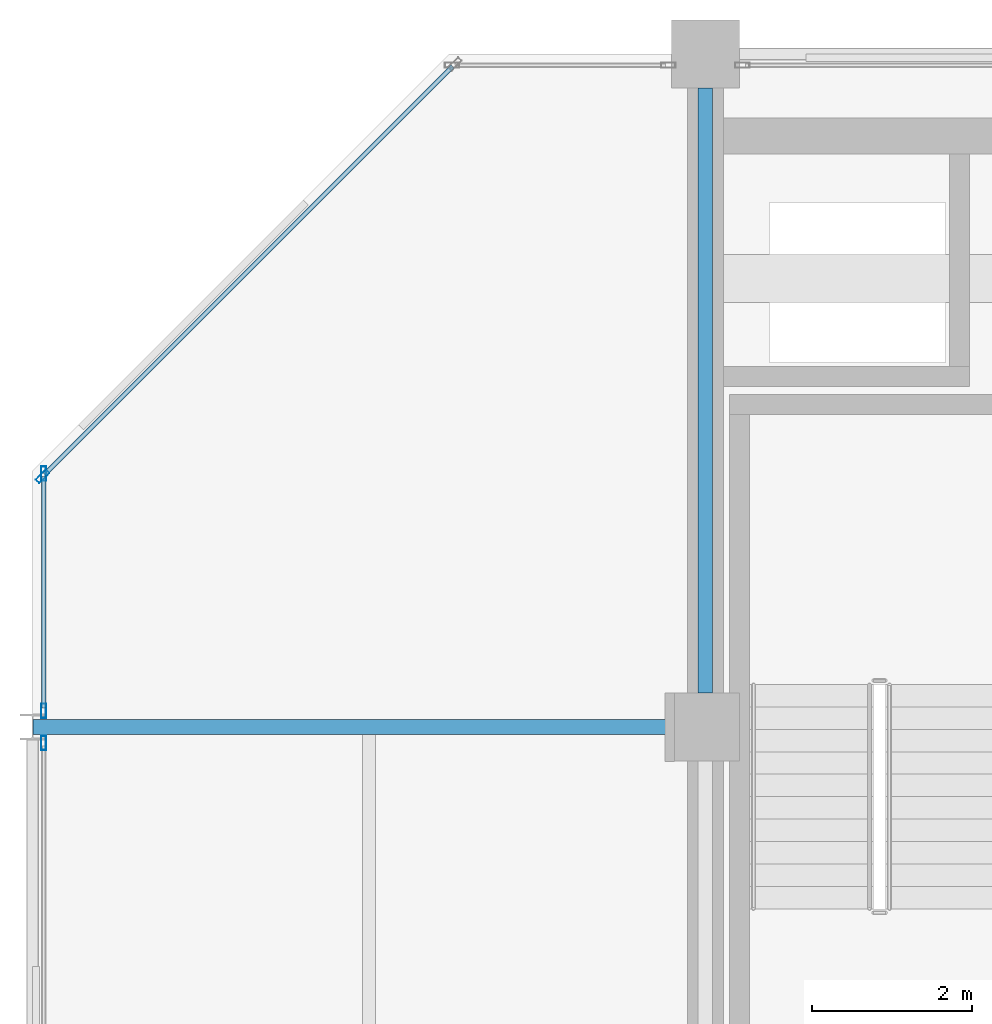
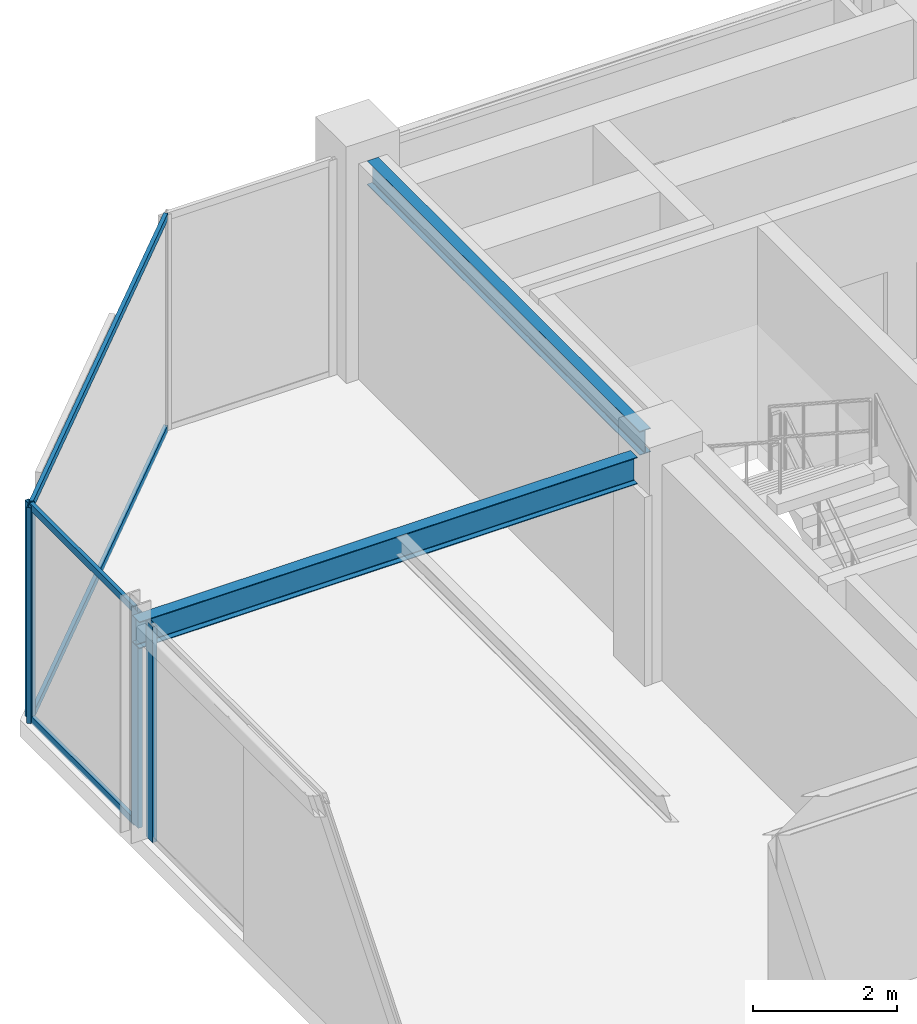
# One storey, part 17 of 26: 8 members, 2 beams, 3 elements without a shape of their own.
"""IFC4 building model written with IfcOpenShell, lengths in metres."""

from ifc_helpers import new_model, si_unit, direction, frame, origin, origin_2d, place, context, subcontext, project, spatial, hollow_rectangle, i_section, extrude, material, layer, layer_set, material_profile, profile_set, type_object, element, aggregate, save


model = new_model("IFC4")

# Units and contexts
model_context = context("Model", 3, precision=1e-05, world=origin(), true_north=direction((0.0, 1.0)))
body_context = subcontext(model_context, "Body", "Model", "MODEL_VIEW")
ifc_project = project(units=[si_unit("LENGTHUNIT", "METRE"), si_unit("AREAUNIT", "SQUARE_METRE"), si_unit("VOLUMEUNIT", "CUBIC_METRE"), si_unit("PLANEANGLEUNIT", "RADIAN"), si_unit("MASSUNIT", "GRAM", prefix="KILO")], contexts=[model_context])

# Site, building, storey
site_placement = place(None, origin())
site = spatial("IfcSite", under=ifc_project, at=site_placement, CompositionType="ELEMENT")
building_placement = place(site_placement, origin())
building = spatial("IfcBuilding", under=site, at=building_placement, Name="Nerrivon Quay Data Exchange", CompositionType="ELEMENT")
storey_placement = place(building_placement, frame((0.0, 0.0, 282.199951171875)))
storey = spatial("IfcBuildingStorey", under=building, at=storey_placement, Name="L67", CompositionType="ELEMENT", Elevation=282.199951171875)

# Beams
ifc_material_1 = material(Name="Steel Grade 350", Category="steel")
ifc_material_profile_1 = material_profile(ifc_material_1, i_section(OverallWidth=0.18994140625, OverallDepth=0.4541015625, WebThickness=0.008544921875, FlangeThickness=0.0126953125, FilletRadius=0.011474609375, at=origin_2d()), Name="460UB67.1")
ifc_profile_set_1 = profile_set([ifc_material_profile_1], Name="Steel Grade 350")
beam_type_1 = type_object("IfcBeamType", Name="BM-G6-460UB67", PredefinedType="BEAM", material=ifc_profile_set_1)
beam_1_placement = place(storey_placement, frame((0.0078125, 33.60009765625, 3.423095703125), z_axis=(1.0, 0.0, 0.0), x_axis=(0.0, 1.0, 0.0)))
element("IfcBeam", 1, at=beam_1_placement, inside=storey, type_object=beam_type_1, Name="L67 EW Girder Y=33.6 (0.0..8.4)", PredefinedType="BEAM", context=body_context, shape_type="SweptSolid", body=[
    extrude(i_section(OverallWidth=0.18994140625, OverallDepth=0.4541015625, WebThickness=0.008544921875, FlangeThickness=0.0126953125, FilletRadius=0.011474609375, at=origin_2d()), origin(), (0.0, 0.0, 1.0), 7.96728515625),
])
ifc_material_profile_2 = material_profile(ifc_material_1, i_section(OverallWidth=0.177978515625, OverallDepth=0.406005859375, WebThickness=0.0078125, FlangeThickness=0.0126953125, FilletRadius=0.011474609375, at=origin_2d()), Name="410UB59.7")
ifc_profile_set_2 = profile_set([ifc_material_profile_2], Name="Steel Grade 350")
beam_type_2 = type_object("IfcBeamType", Name="BM-J1-410UB60", PredefinedType="JOIST", material=ifc_profile_set_2)
beam_2_placement = place(storey_placement, frame((8.39990234375, 34.02490234375, 3.447021484375), z_axis=(0.0, 1.0, 0.0), x_axis=(-1.0, 0.0, 0.0)))
element("IfcBeam", 2, at=beam_2_placement, inside=storey, type_object=beam_type_2, Name="L67 NS Girder X=8.4 (33.6..42.0)", PredefinedType="JOIST", context=body_context, shape_type="SweptSolid", body=[
    extrude(i_section(OverallWidth=0.177978515625, OverallDepth=0.406005859375, WebThickness=0.0078125, FlangeThickness=0.0126953125, FilletRadius=0.011474609375, at=origin_2d()), origin(), (0.0, 0.0, 1.0), 7.550048828125),
])

# Curtain wall, member
ifc_material_2 = material(Name="Anodised aluminium 6063-T6", Category="aluminium")
ifc_layer = layer(ifc_material_2, 0.195068359375)
ifc_layer_set = layer_set([ifc_layer], Name="Anodised aluminium 6063-T6")
curtain_wall_type = type_object("IfcCurtainWallType", Name="CW-SYS-06", PredefinedType="NOTDEFINED", material=ifc_layer_set)
curtain_wall_1_placement = place(storey_placement, origin())
curtain_wall_1 = element("IfcCurtainWall", 3, at=curtain_wall_1_placement, inside=storey, type_object=curtain_wall_type, Name="L67 Unitised Curtain Wall 14", PredefinedType="NOTDEFINED")
ifc_material_profile_3 = material_profile(ifc_material_2, hollow_rectangle(XDim=0.06494140625, YDim=0.179931640625, WallThickness=0.00341796875, at=origin_2d()), Name="ALU-MULL-180x65")
ifc_profile_set_3 = profile_set([ifc_material_profile_3], Name="Anodised aluminium 6063-T6")
member_type_1 = type_object("IfcMemberType", Name="CWM-180x65", PredefinedType="MULLION", material=ifc_profile_set_3)
member_1_placement = place(storey_placement, frame((0.139892578125, 33.39892578125, 0.0), z_axis=(0.0, 0.0, 1.0), x_axis=(-1.0, 0.0, 0.0)))
member_1 = element("IfcMember", 4, at=member_1_placement, type_object=member_type_1, Name="CW06 mullion 2", PredefinedType="MULLION", context=body_context, shape_type="SweptSolid", body=[
    extrude(hollow_rectangle(XDim=0.06494140625, YDim=0.179931640625, WallThickness=0.00341796875, at=origin_2d()), origin(), (0.0, 0.0, 1.0), 3.650146484375),
])
aggregate(curtain_wall_1, [member_1])

# Curtain wall, members
curtain_wall_2_placement = place(storey_placement, origin())
curtain_wall_2 = element("IfcCurtainWall", 5, at=curtain_wall_2_placement, inside=storey, type_object=curtain_wall_type, Name="L67 Unitised Curtain Wall 15", PredefinedType="NOTDEFINED")
member_2_placement = place(storey_placement, frame((0.139892578125, 33.801025390625, 0.0), z_axis=(0.0, 0.0, 1.0), x_axis=(-1.0, 0.0, 0.0)))
member_2 = element("IfcMember", 6, at=member_2_placement, type_object=member_type_1, Name="CW06 mullion 1", PredefinedType="MULLION", context=body_context, shape_type="SweptSolid", body=[
    extrude(hollow_rectangle(XDim=0.06494140625, YDim=0.179931640625, WallThickness=0.00341796875, at=origin_2d()), origin(), (0.0, 0.0, 1.0), 3.650146484375),
])
member_3_placement = place(storey_placement, frame((0.139892578125, 36.762451171875, 0.0), z_axis=(0.0, 0.0, 1.0), x_axis=(-1.0, 0.0, 0.0)))
member_3 = element("IfcMember", 7, at=member_3_placement, type_object=member_type_1, Name="CW06 mullion 2", PredefinedType="MULLION", context=body_context, shape_type="SweptSolid", body=[
    extrude(hollow_rectangle(XDim=0.06494140625, YDim=0.179931640625, WallThickness=0.00341796875, at=origin_2d()), origin(), (0.0, 0.0, 1.0), 3.650146484375),
])

# Curtain wall, member
curtain_wall_3_placement = place(storey_placement, origin())
curtain_wall_3 = element("IfcCurtainWall", 8, at=curtain_wall_3_placement, inside=storey, type_object=curtain_wall_type, Name="L67 Unitised Curtain Wall 16", PredefinedType="NOTDEFINED")
member_4_placement = place(storey_placement, frame((0.12548828125, 36.7275390625, 0.0), z_axis=(0.0, 0.0, 1.0), x_axis=(-0.707106781187, 0.707106781187, 0.0)))
member_4 = element("IfcMember", 9, at=member_4_placement, type_object=member_type_1, Name="CW06 mullion 1", PredefinedType="MULLION", context=body_context, shape_type="SweptSolid", body=[
    extrude(hollow_rectangle(XDim=0.06494140625, YDim=0.179931640625, WallThickness=0.00341796875, at=origin_2d()), origin(), (0.0, 0.0, 1.0), 3.650146484375),
])

# Member
ifc_material_profile_4 = material_profile(ifc_material_2, hollow_rectangle(XDim=0.06005859375, YDim=0.1201171875, WallThickness=0.003173828125, at=origin_2d()), Name="ALU-TRAN-120x60")
ifc_profile_set_4 = profile_set([ifc_material_profile_4], Name="Anodised aluminium 6063-T6")
member_type_2 = type_object("IfcMemberType", Name="CWT-120x60", PredefinedType="USERDEFINED", material=ifc_profile_set_4)
member_5_placement = place(storey_placement, frame((0.139892578125, 33.83837890625, 0.032470703125), z_axis=(0.0, 1.0, 0.0), x_axis=(-1.0, 0.0, 0.0)))
member_5 = element("IfcMember", 10, at=member_5_placement, type_object=member_type_2, Name="CW06 transom 1.1", ObjectType="TRANSOM", PredefinedType="USERDEFINED", context=body_context, shape_type="SweptSolid", body=[
    extrude(hollow_rectangle(XDim=0.06005859375, YDim=0.1201171875, WallThickness=0.003173828125, at=origin_2d()), origin(), (0.0, 0.0, 1.0), 2.88671875),
])

member_6_placement = place(storey_placement, frame((0.139892578125, 33.83837890625, 3.617431640625), z_axis=(0.0, 1.0, 0.0), x_axis=(-1.0, 0.0, 0.0)))
member_6 = element("IfcMember", 11, at=member_6_placement, type_object=member_type_2, Name="CW06 transom 1.2", ObjectType="TRANSOM", PredefinedType="USERDEFINED", context=body_context, shape_type="SweptSolid", body=[
    extrude(hollow_rectangle(XDim=0.06005859375, YDim=0.1201171875, WallThickness=0.003173828125, at=origin_2d()), origin(), (0.0, 0.0, 1.0), 2.88671875),
])

aggregate(curtain_wall_2, [member_2, member_3, member_5, member_6])

member_7_placement = place(storey_placement, frame((0.152099609375, 36.754150390625, 0.032470703125), z_axis=(0.707106781187, 0.707106781187, 0.0), x_axis=(-0.707106781187, 0.707106781187, 0.0)))
member_7 = element("IfcMember", 12, at=member_7_placement, type_object=member_type_2, Name="CW06 transom 1.1", ObjectType="TRANSOM", PredefinedType="USERDEFINED", context=body_context, shape_type="SweptSolid", body=[
    extrude(hollow_rectangle(XDim=0.06005859375, YDim=0.1201171875, WallThickness=0.003173828125, at=origin_2d()), origin(), (0.0, 0.0, 1.0), 7.20361328125),
])

member_8_placement = place(storey_placement, frame((0.152099609375, 36.754150390625, 3.617431640625), z_axis=(0.707106781187, 0.707106781187, 0.0), x_axis=(-0.707106781187, 0.707106781187, 0.0)))
member_8 = element("IfcMember", 13, at=member_8_placement, type_object=member_type_2, Name="CW06 transom 1.2", ObjectType="TRANSOM", PredefinedType="USERDEFINED", context=body_context, shape_type="SweptSolid", body=[
    extrude(hollow_rectangle(XDim=0.06005859375, YDim=0.1201171875, WallThickness=0.003173828125, at=origin_2d()), origin(), (0.0, 0.0, 1.0), 7.20361328125),
])

aggregate(curtain_wall_3, [member_4, member_7, member_8])

save(model, "model.ifc")
